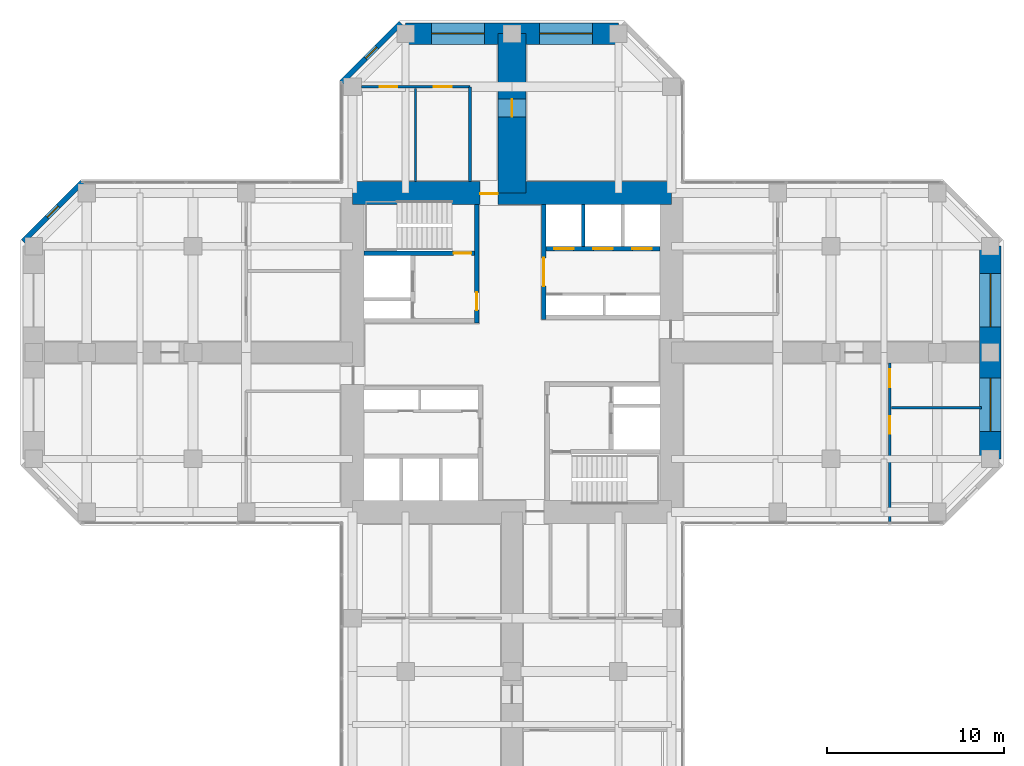
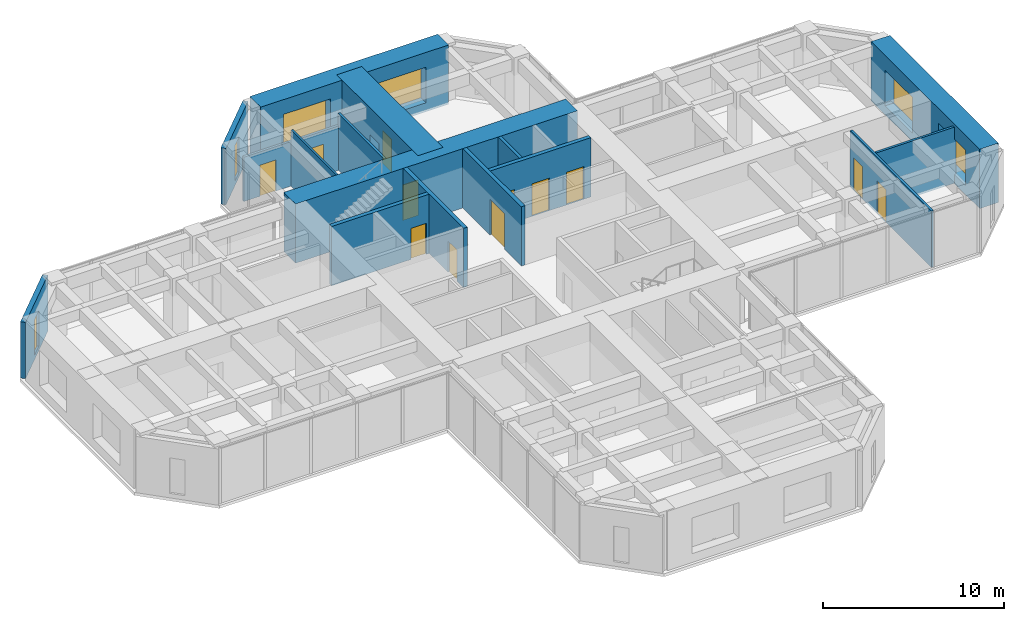
# One storey, part 10 of 12: 16 walls, 12 doors, 6 windows, 18 openings.
"""IFC4 building model written with IfcOpenShell, lengths in metres."""

from ifc_helpers import new_model, si_unit, direction, frame, frame_2d, origin, place, context, subcontext, project, spatial, rectangle, hollow_rectangle, extrude, material, layer, layer_set, constituent, constituent_set, type_object, element, fill, save


model = new_model("IFC4")

# Units and contexts
model_context = context("Model", 3, precision=1e-05, world=origin(), true_north=direction((0.0, 1.0)))
body_context = subcontext(model_context, "Body", "Model", "MODEL_VIEW")
ifc_project = project(units=[si_unit("LENGTHUNIT", "METRE"), si_unit("AREAUNIT", "SQUARE_METRE"), si_unit("VOLUMEUNIT", "CUBIC_METRE"), si_unit("PLANEANGLEUNIT", "RADIAN"), si_unit("MASSUNIT", "GRAM", prefix="KILO")], contexts=[model_context])

# Site, building, storey
site_placement = place(None, origin())
site = spatial("IfcSite", under=ifc_project, at=site_placement, CompositionType="ELEMENT")
building_placement = place(site_placement, origin())
building = spatial("IfcBuilding", under=site, at=building_placement, Name="Torre Cruceta", CompositionType="ELEMENT")
storey_placement = place(building_placement, frame((0.0, 0.0, 120.5)))
storey = spatial("IfcBuildingStorey", under=building, at=storey_placement, Name="L29", CompositionType="ELEMENT", Elevation=120.5)

# Wall, opening, door
ifc_material_1 = material(Name="Concrete G60 (fck 60 MPa)", Category="concrete")
ifc_layer_1 = layer(ifc_material_1, 0.25)
ifc_layer_set_1 = layer_set([ifc_layer_1], Name="Concrete G60 (fck 60 MPa)")
wall_type_1 = type_object("IfcWallType", Name="CORE INNER WALL 250 G60", PredefinedType="SHEAR", material=ifc_layer_set_1)
wall_1_placement = place(storey_placement, frame((1.800048828125, 1.875, 0.0), z_axis=(0.0, 0.0, 1.0), x_axis=(0.0, 1.0, 0.0)))
wall_1 = element("IfcWall", 1, at=wall_1_placement, inside=storey, type_object=wall_type_1, Name="CW4 L29 NE-CU", PredefinedType="SHEAR", context=body_context, shape_type="SweptSolid", body=[
    extrude(rectangle(XDim=6.47509765625, YDim=0.25, at=frame_2d((3.237548828125, 0.0))), origin(), (0.0, 0.0, 1.0), 4.0),
])
opening_1_placement = place(wall_1_placement, frame((1.875, 0.0, 0.0)))
opening_1 = element("IfcOpeningElement", 2, at=opening_1_placement, cuts=wall_1, Name="Opening D8", PredefinedType="OPENING", context=body_context, shape_type="SweptSolid", body=[
    extrude(rectangle(XDim=1.60009765625, YDim=2.39990234375, at=frame_2d((0.800048828125, 1.199951171875))), frame((0.0, 0.135009765625, 0.0), z_axis=(0.0, -1.0, 0.0), x_axis=(1.0, 0.0, 0.0)), (0.0, 0.0, 1.0), 0.27001953125),
])
ifc_material_2 = material(Name="Steel DX51D", Category="steel")
ifc_constituent_1 = constituent(ifc_material_2, Name="Leaf and frame")
ifc_material_3 = material(Name="Polyester powder coating", Category="paint")
ifc_constituent_2 = constituent(ifc_material_3, Name="Finish")
ifc_material_4 = material(Name="Fire-resisting glass", Category="glass")
ifc_constituent_3 = constituent(ifc_material_4, Name="Vision panel")
ifc_constituent_set_1 = constituent_set(constituents=[ifc_constituent_1, ifc_constituent_2, ifc_constituent_3], Name="Steel fire door with vision panels")
door_type_1 = type_object("IfcDoorType", Name="LIFT LOBBY DOUBLE DOOR 1600X2400", OperationType="DOUBLE_DOOR_DOUBLE_SWING", PredefinedType="DOOR", material=ifc_constituent_set_1)
door_1_placement = place(opening_1_placement, origin())
door_1 = element("IfcDoor", 3, at=door_1_placement, inside=storey, type_object=door_type_1, Name="D8 L29 NE-LOBBY", OperationType="DOUBLE_DOOR_DOUBLE_SWING", OverallHeight=2.39990234375, OverallWidth=1.60009765625, PredefinedType="DOOR", context=body_context, shape_type="SweptSolid", body=[
    extrude(rectangle(XDim=1.60009765625, YDim=2.39990234375, at=frame_2d((0.800048828125, 1.199951171875))), frame((0.0, 0.02490234375, 0.0), z_axis=(0.0, -1.0, 0.0), x_axis=(1.0, 0.0, 0.0)), (0.0, 0.0, 1.0), 0.050048828125),
])
fill(opening_1, door_1)

# Wall, openings, doors
wall_2_placement = place(storey_placement, frame((1.925048828125, 5.85009765625, 0.0), z_axis=(0.0, 0.0, 1.0), x_axis=(1.0, 0.0, 0.0)))
wall_2 = element("IfcWall", 4, at=wall_2_placement, inside=storey, type_object=wall_type_1, Name="CW4 L29 NE-LV", PredefinedType="SHEAR", context=body_context, shape_type="SweptSolid", body=[
    extrude(rectangle(XDim=6.425048828125, YDim=0.25, at=frame_2d((3.21240234375, 0.0))), origin(), (0.0, 0.0, 1.0), 4.0),
])
opening_2_placement = place(wall_2_placement, frame((0.4541015625, 0.0, 0.0)))
opening_2 = element("IfcOpeningElement", 5, at=opening_2_placement, cuts=wall_2, Name="Opening LD1", PredefinedType="OPENING", context=body_context, shape_type="SweptSolid", body=[
    extrude(rectangle(XDim=1.10009765625, YDim=2.199951171875, at=frame_2d((0.550048828125, 1.10009765625))), frame((0.0, 0.135009765625, 0.0), z_axis=(0.0, -1.0, 0.0), x_axis=(1.0, 0.0, 0.0)), (0.0, 0.0, 1.0), 0.27001953125),
])
opening_3_placement = place(wall_2_placement, frame((2.66259765625, 0.0, 0.0)))
opening_3 = element("IfcOpeningElement", 6, at=opening_3_placement, cuts=wall_2, Name="Opening LD1", PredefinedType="OPENING", context=body_context, shape_type="SweptSolid", body=[
    extrude(rectangle(XDim=1.10009765625, YDim=2.199951171875, at=frame_2d((0.550048828125, 1.10009765625))), frame((0.0, 0.135009765625, 0.0), z_axis=(0.0, -1.0, 0.0), x_axis=(1.0, 0.0, 0.0)), (0.0, 0.0, 1.0), 0.27001953125),
])
opening_4_placement = place(wall_2_placement, frame((4.870849609375, 0.0, 0.0)))
opening_4 = element("IfcOpeningElement", 7, at=opening_4_placement, cuts=wall_2, Name="Opening LD1", PredefinedType="OPENING", context=body_context, shape_type="SweptSolid", body=[
    extrude(rectangle(XDim=1.10009765625, YDim=2.199951171875, at=frame_2d((0.550048828125, 1.10009765625))), frame((0.0, 0.135009765625, 0.0), z_axis=(0.0, -1.0, 0.0), x_axis=(1.0, 0.0, 0.0)), (0.0, 0.0, 1.0), 0.27001953125),
])
ifc_material_5 = material(Name="Stainless steel 1.4401", Category="steel")
door_type_2 = type_object("IfcDoorType", Name="LIFT LANDING DOOR 1100X2200", OperationType="DOUBLE_DOOR_SLIDING", PredefinedType="DOOR", material=ifc_material_5)
door_2_placement = place(opening_2_placement, origin())
door_2 = element("IfcDoor", 8, at=door_2_placement, inside=storey, type_object=door_type_2, Name="Lift landing door P1", OperationType="DOUBLE_DOOR_SLIDING", OverallHeight=2.199951171875, OverallWidth=1.10009765625, PredefinedType="DOOR", context=body_context, shape_type="SweptSolid", body=[
    extrude(rectangle(XDim=1.10009765625, YDim=2.199951171875, at=frame_2d((0.550048828125, 1.10009765625))), frame((0.0, 0.02490234375, 0.0), z_axis=(0.0, -1.0, 0.0), x_axis=(1.0, 0.0, 0.0)), (0.0, 0.0, 1.0), 0.050048828125),
])
fill(opening_2, door_2)
door_3_placement = place(opening_3_placement, origin())
door_3 = element("IfcDoor", 9, at=door_3_placement, inside=storey, type_object=door_type_2, Name="Lift landing door P2", OperationType="DOUBLE_DOOR_SLIDING", OverallHeight=2.199951171875, OverallWidth=1.10009765625, PredefinedType="DOOR", context=body_context, shape_type="SweptSolid", body=[
    extrude(rectangle(XDim=1.10009765625, YDim=2.199951171875, at=frame_2d((0.550048828125, 1.10009765625))), frame((0.0, 0.02490234375, 0.0), z_axis=(0.0, -1.0, 0.0), x_axis=(1.0, 0.0, 0.0)), (0.0, 0.0, 1.0), 0.050048828125),
])
fill(opening_3, door_3)
door_4_placement = place(opening_4_placement, origin())
door_4 = element("IfcDoor", 10, at=door_4_placement, inside=storey, type_object=door_type_2, Name="Lift landing door P3", OperationType="DOUBLE_DOOR_SLIDING", OverallHeight=2.199951171875, OverallWidth=1.10009765625, PredefinedType="DOOR", context=body_context, shape_type="SweptSolid", body=[
    extrude(rectangle(XDim=1.10009765625, YDim=2.199951171875, at=frame_2d((0.550048828125, 1.10009765625))), frame((0.0, 0.02490234375, 0.0), z_axis=(0.0, -1.0, 0.0), x_axis=(1.0, 0.0, 0.0)), (0.0, 0.0, 1.0), 0.050048828125),
])
fill(opening_4, door_4)

# Wall, opening, door
wall_3_placement = place(storey_placement, frame((-2.0, 1.675048828125, 0.0), z_axis=(0.0, 0.0, 1.0), x_axis=(0.0, 1.0, 0.0)))
wall_3 = element("IfcWall", 11, at=wall_3_placement, inside=storey, type_object=wall_type_1, Name="CW4 L29 NW-CU", PredefinedType="SHEAR", context=body_context, shape_type="SweptSolid", body=[
    extrude(rectangle(XDim=6.675048828125, YDim=0.25, at=frame_2d((3.33740234375, 0.0))), origin(), (0.0, 0.0, 1.0), 4.0),
])
opening_5_placement = place(wall_3_placement, frame((0.72509765625, 0.0, 0.0)))
opening_5 = element("IfcOpeningElement", 12, at=opening_5_placement, cuts=wall_3, Name="Opening D3", PredefinedType="OPENING", context=body_context, shape_type="SweptSolid", body=[
    extrude(rectangle(XDim=1.0, YDim=2.10009765625, at=frame_2d((0.5, 1.050048828125))), frame((0.0, 0.135009765625, 0.0), z_axis=(0.0, -1.0, 0.0), x_axis=(1.0, 0.0, 0.0)), (0.0, 0.0, 1.0), 0.27001953125),
])
ifc_material_6 = material(Name="Steel DX51D", Category="steel")
ifc_constituent_4 = constituent(ifc_material_6, Name="Leaf and frame")
ifc_material_7 = material(Name="Polyester powder coating", Category="paint")
ifc_constituent_5 = constituent(ifc_material_7, Name="Finish")
ifc_constituent_set_2 = constituent_set(constituents=[ifc_constituent_4, ifc_constituent_5], Name="Steel fire door")
door_type_3 = type_object("IfcDoorType", Name="FIRE DOOR 1000X2100", OperationType="SINGLE_SWING_LEFT", PredefinedType="DOOR", material=ifc_constituent_set_2)
door_5_placement = place(opening_5_placement, origin())
door_5 = element("IfcDoor", 13, at=door_5_placement, inside=storey, type_object=door_type_3, Name="D3 L29 NW-LOBBY", OperationType="SINGLE_SWING_LEFT", OverallHeight=2.10009765625, OverallWidth=1.0, PredefinedType="DOOR", context=body_context, shape_type="SweptSolid", body=[
    extrude(rectangle(XDim=1.0, YDim=2.10009765625, at=frame_2d((0.5, 1.050048828125))), frame((0.0, 0.02490234375, 0.0), z_axis=(0.0, -1.0, 0.0), x_axis=(1.0, 0.0, 0.0)), (0.0, 0.0, 1.0), 0.050048828125),
])
fill(opening_5, door_5)

wall_4_placement = place(storey_placement, frame((-2.125, 5.60009765625, 0.0), z_axis=(0.0, 0.0, 1.0), x_axis=(-1.0, 0.0, 0.0)))
wall_4 = element("IfcWall", 14, at=wall_4_placement, inside=storey, type_object=wall_type_1, Name="CW4 L29 NW-SV", PredefinedType="SHEAR", context=body_context, shape_type="SweptSolid", body=[
    extrude(rectangle(XDim=6.22509765625, YDim=0.25, at=frame_2d((3.112548828125, 0.0))), origin(), (0.0, 0.0, 1.0), 4.0),
])
opening_6_placement = place(wall_4_placement, frame((0.175048828125, 0.0, 0.0)))
opening_6 = element("IfcOpeningElement", 15, at=opening_6_placement, cuts=wall_4, Name="Opening D3", PredefinedType="OPENING", context=body_context, shape_type="SweptSolid", body=[
    extrude(rectangle(XDim=1.0, YDim=2.10009765625, at=frame_2d((0.5, 1.050048828125))), frame((0.0, 0.135009765625, 0.0), z_axis=(0.0, -1.0, 0.0), x_axis=(1.0, 0.0, 0.0)), (0.0, 0.0, 1.0), 0.27001953125),
])
door_6_placement = place(opening_6_placement, frame((1.0, 0.0, 0.0), z_axis=(0.0, 0.0, 1.0), x_axis=(-1.0, 0.0, 0.0)))
door_6 = element("IfcDoor", 16, at=door_6_placement, inside=storey, type_object=door_type_3, Name="D3 L29 NW-STAIR", OperationType="SINGLE_SWING_RIGHT", OverallHeight=2.10009765625, OverallWidth=1.0, PredefinedType="DOOR", context=body_context, shape_type="SweptSolid", body=[
    extrude(rectangle(XDim=1.0, YDim=2.10009765625, at=frame_2d((0.5, 1.050048828125))), frame((0.0, 0.025146484375, 0.0), z_axis=(0.0, -1.0, 0.0), x_axis=(1.0, 0.0, 0.0)), (0.0, 0.0, 1.0), 0.050048828125),
])
fill(opening_6, door_6)

ifc_material_8 = material(Name="Concrete G60 (fck 60 MPa)", Category="concrete")
ifc_layer_2 = layer(ifc_material_8, 1.300048828125)
ifc_layer_set_2 = layer_set([ifc_layer_2], Name="Concrete G60 (fck 60 MPa)")
wall_type_2 = type_object("IfcWallType", Name="CORE WALL 1300 G60", PredefinedType="SHEAR", material=ifc_layer_set_2)
wall_5_placement = place(storey_placement, frame((9.0, 9.0, 0.0), z_axis=(0.0, 0.0, 1.0), x_axis=(-1.0, 0.0, 0.0)))
wall_5 = element("IfcWall", 17, at=wall_5_placement, inside=storey, type_object=wall_type_2, Name="CW1 L29 CW-N", PredefinedType="SHEAR", context=body_context, shape_type="SweptSolid", body=[
    extrude(rectangle(XDim=18.0, YDim=1.300048828125, at=frame_2d((9.0, 0.0))), origin(), (0.0, 0.0, 1.0), 4.0),
])
opening_7_placement = place(wall_5_placement, frame((9.800048828125, 0.0, 0.0)))
opening_7 = element("IfcOpeningElement", 18, at=opening_7_placement, cuts=wall_5, Name="Opening D4", PredefinedType="OPENING", context=body_context, shape_type="SweptSolid", body=[
    extrude(rectangle(XDim=1.0, YDim=2.39990234375, at=frame_2d((0.5, 1.199951171875))), frame((0.0, 0.659912109375, 0.0), z_axis=(0.0, -1.0, 0.0), x_axis=(1.0, 0.0, 0.0)), (0.0, 0.0, 1.0), 1.320068359375),
])
ifc_material_9 = material(Name="Steel DX51D", Category="steel")
ifc_constituent_6 = constituent(ifc_material_9, Name="Leaf and frame")
ifc_material_10 = material(Name="Polyester powder coating", Category="paint")
ifc_constituent_7 = constituent(ifc_material_10, Name="Finish")
ifc_constituent_set_3 = constituent_set(constituents=[ifc_constituent_6, ifc_constituent_7], Name="Steel fire door")
door_type_4 = type_object("IfcDoorType", Name="CORE ARM DOOR 1000X2400", OperationType="SINGLE_SWING_RIGHT", PredefinedType="DOOR", material=ifc_constituent_set_3)
door_7_placement = place(opening_7_placement, frame((1.0, 0.0, 0.0), z_axis=(0.0, 0.0, 1.0), x_axis=(-1.0, 0.0, 0.0)))
door_7 = element("IfcDoor", 19, at=door_7_placement, inside=storey, type_object=door_type_4, Name="D4 L29 CW-N", OperationType="SINGLE_SWING_RIGHT", OverallHeight=2.39990234375, OverallWidth=1.0, PredefinedType="DOOR", context=body_context, shape_type="SweptSolid", body=[
    extrude(rectangle(XDim=1.0, YDim=2.39990234375, at=frame_2d((0.5, 1.199951171875))), frame((0.0, -0.005126953125, 0.0), z_axis=(0.0, -1.0, 0.0), x_axis=(1.0, 0.0, 0.0)), (0.0, 0.0, 1.0), 0.050048828125),
])
fill(opening_7, door_7)

# Wall, opening, window
ifc_material_11 = material(Name="Concrete G30 (fck 30 MPa)", Category="concrete")
ifc_layer_3 = layer(ifc_material_11, 0.300048828125)
ifc_layer_set_3 = layer_set([ifc_layer_3], Name="Concrete G30 (fck 30 MPa)")
wall_type_3 = type_object("IfcWallType", Name="EXPOSED CONCRETE FACADE WALL 300", PredefinedType="SOLIDWALL", material=ifc_layer_set_3)
wall_6_placement = place(storey_placement, frame((-6.27685546875, 18.60009765625, 0.0), z_axis=(0.0, 0.0, 1.0), x_axis=(-0.707106781187, -0.707106781187, 0.0)))
wall_6 = element("IfcWall", 20, at=wall_6_placement, inside=storey, type_object=wall_type_3, Name="EW1 facade wall L29 N chamfer 08", PredefinedType="SOLIDWALL", context=body_context, shape_type="SweptSolid", body=[
    extrude(rectangle(XDim=4.72802734375, YDim=0.300048828125, at=frame_2d((2.364013671875, 0.0))), origin(), (0.0, 0.0, 1.0), 3.800048828125),
])
opening_8_placement = place(wall_6_placement, frame((1.9140625, 0.0, 0.300048828125)))
opening_8 = element("IfcOpeningElement", 21, at=opening_8_placement, cuts=wall_6, Name="Opening WN5", PredefinedType="OPENING", context=body_context, shape_type="SweptSolid", body=[
    extrude(rectangle(XDim=0.89990234375, YDim=2.39990234375, at=frame_2d((0.449951171875, 1.199951171875))), frame((0.0, 0.159912109375, 0.0), z_axis=(0.0, -1.0, 0.0), x_axis=(1.0, 0.0, 0.0)), (0.0, 0.0, 1.0), 0.320068359375),
])
ifc_material_12 = material(Name="Aluminium window frame", Category="aluminium")
ifc_constituent_8 = constituent(ifc_material_12, Name="Frame")
ifc_material_13 = material(Name="Laminated insulating glass unit, low-iron clear", Category="glass")
ifc_constituent_9 = constituent(ifc_material_13, Name="Glazing")
ifc_constituent_set_4 = constituent_set(constituents=[ifc_constituent_8, ifc_constituent_9], Name="Aluminium window")
window_type_1 = type_object("IfcWindowType", Name="CHAMFER SLOT WINDOW 900X2400", PartitioningType="SINGLE_PANEL", PredefinedType="WINDOW", material=ifc_constituent_set_4)
window_1_placement = place(opening_8_placement, origin())
window_1 = element("IfcWindow", 22, at=window_1_placement, inside=storey, type_object=window_type_1, Name="WN5 L29 N 1", OverallHeight=2.39990234375, OverallWidth=0.89990234375, PartitioningType="SINGLE_PANEL", PredefinedType="WINDOW", context=body_context, shape_type="SweptSolid", body=[
    extrude(hollow_rectangle(XDim=0.89990234375, YDim=2.39990234375, WallThickness=0.06005859375, at=frame_2d((0.449951171875, 1.199951171875))), frame((0.0, 0.030029296875, 0.0), z_axis=(0.0, -1.0, 0.0), x_axis=(1.0, 0.0, 0.0)), (0.0, 0.0, 1.0), 0.06005859375),
    extrude(rectangle(XDim=0.77880859375, YDim=2.27880859375, at=frame_2d((0.449951171875, 1.199951171875))), frame((0.0, 0.030029296875, 0.0), z_axis=(0.0, -1.0, 0.0), x_axis=(1.0, 0.0, 0.0)), (0.0, 0.0, 1.0), 0.06005859375),
])
fill(opening_8, window_1)

wall_7_placement = place(storey_placement, frame((-24.2568359375, 9.6201171875, 0.0), z_axis=(0.0, 0.0, 1.0), x_axis=(-0.707106781187, -0.707106781187, 0.0)))
wall_7 = element("IfcWall", 23, at=wall_7_placement, inside=storey, type_object=wall_type_3, Name="EW1 facade wall L29 W chamfer 11", PredefinedType="SOLIDWALL", context=body_context, shape_type="SweptSolid", body=[
    extrude(rectangle(XDim=4.72802734375, YDim=0.300048828125, at=frame_2d((2.364013671875, 0.0))), origin(), (0.0, 0.0, 1.0), 3.800048828125),
])
opening_9_placement = place(wall_7_placement, frame((1.9140625, 0.0, 0.300048828125)))
opening_9 = element("IfcOpeningElement", 24, at=opening_9_placement, cuts=wall_7, Name="Opening WN5", PredefinedType="OPENING", context=body_context, shape_type="SweptSolid", body=[
    extrude(rectangle(XDim=0.89990234375, YDim=2.39990234375, at=frame_2d((0.449951171875, 1.199951171875))), frame((0.0, 0.159912109375, 0.0), z_axis=(0.0, -1.0, 0.0), x_axis=(1.0, 0.0, 0.0)), (0.0, 0.0, 1.0), 0.320068359375),
])
window_2_placement = place(opening_9_placement, origin())
window_2 = element("IfcWindow", 25, at=window_2_placement, inside=storey, type_object=window_type_1, Name="WN5 L29 W 1", OverallHeight=2.39990234375, OverallWidth=0.89990234375, PartitioningType="SINGLE_PANEL", PredefinedType="WINDOW", context=body_context, shape_type="SweptSolid", body=[
    extrude(hollow_rectangle(XDim=0.89990234375, YDim=2.39990234375, WallThickness=0.06005859375, at=frame_2d((0.449951171875, 1.199951171875))), frame((0.0, 0.030029296875, 0.0), z_axis=(0.0, -1.0, 0.0), x_axis=(1.0, 0.0, 0.0)), (0.0, 0.0, 1.0), 0.06005859375),
    extrude(rectangle(XDim=0.77880859375, YDim=2.27880859375, at=frame_2d((0.449951171875, 1.199951171875))), frame((0.0, 0.030029296875, 0.0), z_axis=(0.0, -1.0, 0.0), x_axis=(1.0, 0.0, 0.0)), (0.0, 0.0, 1.0), 0.06005859375),
])
fill(opening_9, window_2)

# Wall
ifc_material_14 = material(Name="Concrete G35 (fck 35 MPa)", Category="concrete")
ifc_layer_4 = layer(ifc_material_14, 0.199951171875)
ifc_layer_set_4 = layer_set([ifc_layer_4], Name="Concrete G35 (fck 35 MPa)")
wall_type_4 = type_object("IfcWallType", Name="LIFT SHAFT WALL 200", PredefinedType="PARTITIONING", material=ifc_layer_set_4)
wall_8_placement = place(storey_placement, frame((4.033447265625, 5.97509765625, 0.0), z_axis=(0.0, 0.0, 1.0), x_axis=(0.0, 1.0, 0.0)))
element("IfcWall", 26, at=wall_8_placement, inside=storey, type_object=wall_type_4, Name="SW1 L29 NE-LS1", PredefinedType="PARTITIONING", context=body_context, shape_type="SweptSolid", body=[
    extrude(rectangle(XDim=2.375, YDim=0.199951171875, at=frame_2d((1.1875, 0.0))), origin(), (0.0, 0.0, 1.0), 4.0),
])

# Wall, openings, windows
ifc_material_15 = material(Name="Concrete G60 (fck 60 MPa)", Category="concrete")
ifc_layer_5 = layer(ifc_material_15, 1.199951171875)
ifc_layer_set_5 = layer_set([ifc_layer_5], Name="Concrete G60 (fck 60 MPa)")
wall_type_5 = type_object("IfcWallType", Name="NOSE WALL 1200 G60", PredefinedType="SHEAR", material=ifc_layer_set_5)
wall_9_placement = place(storey_placement, frame((6.0, 18.0, 0.0), z_axis=(0.0, 0.0, 1.0), x_axis=(-1.0, 0.0, 0.0)))
wall_9 = element("IfcWall", 27, at=wall_9_placement, inside=storey, type_object=wall_type_5, Name="NW1 nose wall L29 N", PredefinedType="SHEAR", context=body_context, shape_type="SweptSolid", body=[
    extrude(rectangle(XDim=12.0, YDim=1.199951171875, at=frame_2d((6.0, 0.0))), origin(), (0.0, 0.0, 1.0), 4.0),
])
opening_10_placement = place(wall_9_placement, frame((1.449951171875, 0.0, 0.60009765625)))
opening_10 = element("IfcOpeningElement", 28, at=opening_10_placement, cuts=wall_9, Name="Opening WN6", PredefinedType="OPENING", context=body_context, shape_type="SweptSolid", body=[
    extrude(rectangle(XDim=3.0, YDim=2.39990234375, at=frame_2d((1.5, 1.199951171875))), frame((0.0, 0.60986328125, 0.0), z_axis=(0.0, -1.0, 0.0), x_axis=(1.0, 0.0, 0.0)), (0.0, 0.0, 1.0), 1.219970703125),
])
opening_11_placement = place(wall_9_placement, frame((7.550048828125, 0.0, 0.60009765625)))
opening_11 = element("IfcOpeningElement", 29, at=opening_11_placement, cuts=wall_9, Name="Opening WN6", PredefinedType="OPENING", context=body_context, shape_type="SweptSolid", body=[
    extrude(rectangle(XDim=3.0, YDim=2.39990234375, at=frame_2d((1.5, 1.199951171875))), frame((0.0, 0.60986328125, 0.0), z_axis=(0.0, -1.0, 0.0), x_axis=(1.0, 0.0, 0.0)), (0.0, 0.0, 1.0), 1.219970703125),
])
ifc_material_16 = material(Name="Aluminium window frame", Category="aluminium")
ifc_constituent_10 = constituent(ifc_material_16, Name="Frame")
ifc_material_17 = material(Name="Laminated insulating glass unit, low-iron clear", Category="glass")
ifc_constituent_11 = constituent(ifc_material_17, Name="Glazing")
ifc_constituent_set_5 = constituent_set(constituents=[ifc_constituent_10, ifc_constituent_11], Name="Aluminium window")
window_type_2 = type_object("IfcWindowType", Name="NOSE WALL WINDOW 3000X2400", PartitioningType="SINGLE_PANEL", PredefinedType="WINDOW", material=ifc_constituent_set_5)
window_3_placement = place(opening_10_placement, origin())
window_3 = element("IfcWindow", 30, at=window_3_placement, inside=storey, type_object=window_type_2, Name="WN6 L29 N 1", OverallHeight=2.39990234375, OverallWidth=3.0, PartitioningType="SINGLE_PANEL", PredefinedType="WINDOW", context=body_context, shape_type="SweptSolid", body=[
    extrude(hollow_rectangle(XDim=3.0, YDim=2.39990234375, WallThickness=0.06005859375, at=frame_2d((1.5, 1.199951171875))), frame((0.0, 0.030029296875, 0.0), z_axis=(0.0, -1.0, 0.0), x_axis=(1.0, 0.0, 0.0)), (0.0, 0.0, 1.0), 0.06005859375),
    extrude(rectangle(XDim=2.87890625, YDim=2.27880859375, at=frame_2d((1.5, 1.199951171875))), frame((0.0, 0.030029296875, 0.0), z_axis=(0.0, -1.0, 0.0), x_axis=(1.0, 0.0, 0.0)), (0.0, 0.0, 1.0), 0.06005859375),
])
fill(opening_10, window_3)
window_4_placement = place(opening_11_placement, origin())
window_4 = element("IfcWindow", 31, at=window_4_placement, inside=storey, type_object=window_type_2, Name="WN6 L29 N 2", OverallHeight=2.39990234375, OverallWidth=3.0, PartitioningType="SINGLE_PANEL", PredefinedType="WINDOW", context=body_context, shape_type="SweptSolid", body=[
    extrude(hollow_rectangle(XDim=3.0, YDim=2.39990234375, WallThickness=0.06005859375, at=frame_2d((1.5, 1.199951171875))), frame((0.0, 0.030029296875, 0.0), z_axis=(0.0, -1.0, 0.0), x_axis=(1.0, 0.0, 0.0)), (0.0, 0.0, 1.0), 0.06005859375),
    extrude(rectangle(XDim=2.87890625, YDim=2.27880859375, at=frame_2d((1.5, 1.199951171875))), frame((0.0, 0.030029296875, 0.0), z_axis=(0.0, -1.0, 0.0), x_axis=(1.0, 0.0, 0.0)), (0.0, 0.0, 1.0), 0.06005859375),
])
fill(opening_11, window_4)

wall_10_placement = place(storey_placement, frame((27.0, -6.0, 0.0), z_axis=(0.0, 0.0, 1.0), x_axis=(0.0, 1.0, 0.0)))
wall_10 = element("IfcWall", 32, at=wall_10_placement, inside=storey, type_object=wall_type_5, Name="NW1 nose wall L29 E", PredefinedType="SHEAR", context=body_context, shape_type="SweptSolid", body=[
    extrude(rectangle(XDim=12.0, YDim=1.199951171875, at=frame_2d((6.0, 0.0))), origin(), (0.0, 0.0, 1.0), 4.0),
])
opening_12_placement = place(wall_10_placement, frame((1.550048828125, 0.0, 0.60009765625)))
opening_12 = element("IfcOpeningElement", 33, at=opening_12_placement, cuts=wall_10, Name="Opening WN6", PredefinedType="OPENING", context=body_context, shape_type="SweptSolid", body=[
    extrude(rectangle(XDim=3.0, YDim=2.39990234375, at=frame_2d((1.5, 1.199951171875))), frame((0.0, 0.60986328125, 0.0), z_axis=(0.0, -1.0, 0.0), x_axis=(1.0, 0.0, 0.0)), (0.0, 0.0, 1.0), 1.219970703125),
])
opening_13_placement = place(wall_10_placement, frame((7.449951171875, 0.0, 0.60009765625)))
opening_13 = element("IfcOpeningElement", 34, at=opening_13_placement, cuts=wall_10, Name="Opening WN6", PredefinedType="OPENING", context=body_context, shape_type="SweptSolid", body=[
    extrude(rectangle(XDim=3.0, YDim=2.39990234375, at=frame_2d((1.5, 1.199951171875))), frame((0.0, 0.60986328125, 0.0), z_axis=(0.0, -1.0, 0.0), x_axis=(1.0, 0.0, 0.0)), (0.0, 0.0, 1.0), 1.219970703125),
])
window_5_placement = place(opening_12_placement, origin())
window_5 = element("IfcWindow", 35, at=window_5_placement, inside=storey, type_object=window_type_2, Name="WN6 L29 E 1", OverallHeight=2.39990234375, OverallWidth=3.0, PartitioningType="SINGLE_PANEL", PredefinedType="WINDOW", context=body_context, shape_type="SweptSolid", body=[
    extrude(hollow_rectangle(XDim=3.0, YDim=2.39990234375, WallThickness=0.06005859375, at=frame_2d((1.5, 1.199951171875))), frame((0.0, 0.030029296875, 0.0), z_axis=(0.0, -1.0, 0.0), x_axis=(1.0, 0.0, 0.0)), (0.0, 0.0, 1.0), 0.06005859375),
    extrude(rectangle(XDim=2.87890625, YDim=2.27880859375, at=frame_2d((1.5, 1.199951171875))), frame((0.0, 0.030029296875, 0.0), z_axis=(0.0, -1.0, 0.0), x_axis=(1.0, 0.0, 0.0)), (0.0, 0.0, 1.0), 0.06005859375),
])
fill(opening_12, window_5)
window_6_placement = place(opening_13_placement, origin())
window_6 = element("IfcWindow", 36, at=window_6_placement, inside=storey, type_object=window_type_2, Name="WN6 L29 E 2", OverallHeight=2.39990234375, OverallWidth=3.0, PartitioningType="SINGLE_PANEL", PredefinedType="WINDOW", context=body_context, shape_type="SweptSolid", body=[
    extrude(hollow_rectangle(XDim=3.0, YDim=2.39990234375, WallThickness=0.06005859375, at=frame_2d((1.5, 1.199951171875))), frame((0.0, 0.030029296875, 0.0), z_axis=(0.0, -1.0, 0.0), x_axis=(1.0, 0.0, 0.0)), (0.0, 0.0, 1.0), 0.06005859375),
    extrude(rectangle(XDim=2.87890625, YDim=2.27880859375, at=frame_2d((1.5, 1.199951171875))), frame((0.0, 0.030029296875, 0.0), z_axis=(0.0, -1.0, 0.0), x_axis=(1.0, 0.0, 0.0)), (0.0, 0.0, 1.0), 0.06005859375),
])
fill(opening_13, window_6)

# Wall, openings, doors
ifc_material_18 = material(Name="Plasterboard on steel studs", Category="steel")
ifc_layer_6 = layer(ifc_material_18, 0.14990234375)
ifc_layer_set_6 = layer_set([ifc_layer_6], Name="Plasterboard on steel studs")
wall_type_6 = type_object("IfcWallType", Name="PARTITION 150", PredefinedType="PARTITIONING", material=ifc_layer_set_6)
wall_11_placement = place(storey_placement, frame((-2.375, 15.0, 0.0), z_axis=(0.0, 0.0, 1.0), x_axis=(-1.0, 0.0, 0.0)))
wall_11 = element("IfcWall", 37, at=wall_11_placement, inside=storey, type_object=wall_type_6, Name="PT1 L29-N-BFL", PredefinedType="PARTITIONING", context=body_context, shape_type="SweptSolid", body=[
    extrude(rectangle(XDim=6.125, YDim=0.14990234375, at=frame_2d((3.0625, 0.0))), origin(), (0.0, 0.0, 1.0), 3.0),
])
opening_14_placement = place(wall_11_placement, frame((1.03125, 0.0, 0.0)))
opening_14 = element("IfcOpeningElement", 38, at=opening_14_placement, cuts=wall_11, Name="Opening D3", PredefinedType="OPENING", context=body_context, shape_type="SweptSolid", body=[
    extrude(rectangle(XDim=1.0, YDim=2.10009765625, at=frame_2d((0.5, 1.050048828125))), frame((0.0, 0.0849609375, 0.0), z_axis=(0.0, -1.0, 0.0), x_axis=(1.0, 0.0, 0.0)), (0.0, 0.0, 1.0), 0.169921875),
])
opening_15_placement = place(wall_11_placement, frame((4.09375, 0.0, 0.0)))
opening_15 = element("IfcOpeningElement", 39, at=opening_15_placement, cuts=wall_11, Name="Opening D3", PredefinedType="OPENING", context=body_context, shape_type="SweptSolid", body=[
    extrude(rectangle(XDim=1.0, YDim=2.10009765625, at=frame_2d((0.5, 1.050048828125))), frame((0.0, 0.0849609375, 0.0), z_axis=(0.0, -1.0, 0.0), x_axis=(1.0, 0.0, 0.0)), (0.0, 0.0, 1.0), 0.169921875),
])
door_8_placement = place(opening_14_placement, origin())
door_8 = element("IfcDoor", 40, at=door_8_placement, inside=storey, type_object=door_type_3, Name="D3 L29-N-BFL-D1", OperationType="SINGLE_SWING_LEFT", OverallHeight=2.10009765625, OverallWidth=1.0, PredefinedType="DOOR", context=body_context, shape_type="SweptSolid", body=[
    extrude(rectangle(XDim=1.0, YDim=2.10009765625, at=frame_2d((0.5, 1.050048828125))), frame((0.0, 0.02490234375, 0.0), z_axis=(0.0, -1.0, 0.0), x_axis=(1.0, 0.0, 0.0)), (0.0, 0.0, 1.0), 0.050048828125),
])
fill(opening_14, door_8)
door_9_placement = place(opening_15_placement, origin())
door_9 = element("IfcDoor", 41, at=door_9_placement, inside=storey, type_object=door_type_3, Name="D3 L29-N-BFL-D2", OperationType="SINGLE_SWING_LEFT", OverallHeight=2.10009765625, OverallWidth=1.0, PredefinedType="DOOR", context=body_context, shape_type="SweptSolid", body=[
    extrude(rectangle(XDim=1.0, YDim=2.10009765625, at=frame_2d((0.5, 1.050048828125))), frame((0.0, 0.02490234375, 0.0), z_axis=(0.0, -1.0, 0.0), x_axis=(1.0, 0.0, 0.0)), (0.0, 0.0, 1.0), 0.050048828125),
])
fill(opening_15, door_9)

# Walls
wall_12_placement = place(storey_placement, frame((-2.375, 9.64990234375, 0.0), z_axis=(0.0, 0.0, 1.0), x_axis=(0.0, 1.0, 0.0)))
element("IfcWall", 42, at=wall_12_placement, inside=storey, type_object=wall_type_6, Name="PT1 L29-N-BSL", PredefinedType="PARTITIONING", context=body_context, shape_type="SweptSolid", body=[
    extrude(rectangle(XDim=5.35009765625, YDim=0.14990234375, at=frame_2d((2.675048828125, 0.0))), origin(), (0.0, 0.0, 1.0), 3.800048828125),
])
wall_13_placement = place(storey_placement, frame((21.419921875, -3.117919921875, 0.0), z_axis=(0.0, 0.0, 1.0), x_axis=(1.0, 0.0, 0.0)))
element("IfcWall", 43, at=wall_13_placement, inside=storey, type_object=wall_type_6, Name="PT1 L29-E-TDR", PredefinedType="PARTITIONING", context=body_context, shape_type="SweptSolid", body=[
    extrude(rectangle(XDim=5.080078125, YDim=0.14990234375, at=frame_2d((2.5400390625, 0.0))), origin(), (0.0, 0.0, 1.0), 3.800048828125),
])

# Wall, openings, doors
wall_14_placement = place(storey_placement, frame((21.320068359375, -9.580078125, 0.0), z_axis=(0.0, 0.0, 1.0), x_axis=(0.0, 1.0, 0.0)))
wall_14 = element("IfcWall", 44, at=wall_14_placement, inside=storey, type_object=wall_type_6, Name="PT1 L29-E-TWR", PredefinedType="PARTITIONING", context=body_context, shape_type="SweptSolid", body=[
    extrude(rectangle(XDim=8.97998046875, YDim=0.14990234375, at=frame_2d((4.489990234375, 0.0))), origin(), (0.0, 0.0, 1.0), 3.800048828125),
])
opening_16_placement = place(wall_14_placement, frame((4.987060546875, 0.0, 0.0)))
opening_16 = element("IfcOpeningElement", 45, at=opening_16_placement, cuts=wall_14, Name="Opening D14", PredefinedType="OPENING", context=body_context, shape_type="SweptSolid", body=[
    extrude(rectangle(XDim=1.0, YDim=2.199951171875, at=frame_2d((0.5, 1.10009765625))), frame((0.0, 0.0849609375, 0.0), z_axis=(0.0, -1.0, 0.0), x_axis=(1.0, 0.0, 0.0)), (0.0, 0.0, 1.0), 0.169921875),
])
opening_17_placement = place(wall_14_placement, frame((7.6298828125, 0.0, 0.0)))
opening_17 = element("IfcOpeningElement", 46, at=opening_17_placement, cuts=wall_14, Name="Opening D14", PredefinedType="OPENING", context=body_context, shape_type="SweptSolid", body=[
    extrude(rectangle(XDim=1.0, YDim=2.199951171875, at=frame_2d((0.5, 1.10009765625))), frame((0.0, 0.0849609375, 0.0), z_axis=(0.0, -1.0, 0.0), x_axis=(1.0, 0.0, 0.0)), (0.0, 0.0, 1.0), 0.169921875),
])
ifc_material_19 = material(Name="Steel DX51D", Category="steel")
ifc_constituent_12 = constituent(ifc_material_19, Name="Leaf and frame")
ifc_material_20 = material(Name="Polyester powder coating", Category="paint")
ifc_constituent_13 = constituent(ifc_material_20, Name="Finish")
ifc_material_21 = material(Name="Fire-resisting glass", Category="glass")
ifc_constituent_14 = constituent(ifc_material_21, Name="Vision panel")
ifc_constituent_set_6 = constituent_set(constituents=[ifc_constituent_12, ifc_constituent_13, ifc_constituent_14], Name="Steel fire door with vision panel")
door_type_5 = type_object("IfcDoorType", Name="FIRE DOOR VISION PANEL 1000X2200", OperationType="SINGLE_SWING_RIGHT", PredefinedType="DOOR", material=ifc_constituent_set_6)
door_10_placement = place(opening_16_placement, frame((1.0, 0.0, 0.0), z_axis=(0.0, 0.0, 1.0), x_axis=(-1.0, 0.0, 0.0)))
door_10 = element("IfcDoor", 47, at=door_10_placement, inside=storey, type_object=door_type_5, Name="D14 L29-E-TWR-D1", OperationType="SINGLE_SWING_LEFT", OverallHeight=2.199951171875, OverallWidth=1.0, PredefinedType="DOOR", context=body_context, shape_type="SweptSolid", body=[
    extrude(rectangle(XDim=1.0, YDim=2.199951171875, at=frame_2d((0.5, 1.10009765625))), frame((0.0, 0.025146484375, 0.0), z_axis=(0.0, -1.0, 0.0), x_axis=(1.0, 0.0, 0.0)), (0.0, 0.0, 1.0), 0.050048828125),
])
fill(opening_16, door_10)
door_11_placement = place(opening_17_placement, frame((1.0, 0.0, 0.0), z_axis=(0.0, 0.0, 1.0), x_axis=(-1.0, 0.0, 0.0)))
door_11 = element("IfcDoor", 48, at=door_11_placement, inside=storey, type_object=door_type_5, Name="D14 L29-E-TWR-D2", OperationType="SINGLE_SWING_LEFT", OverallHeight=2.199951171875, OverallWidth=1.0, PredefinedType="DOOR", context=body_context, shape_type="SweptSolid", body=[
    extrude(rectangle(XDim=1.0, YDim=2.199951171875, at=frame_2d((0.5, 1.10009765625))), frame((0.0, 0.025146484375, 0.0), z_axis=(0.0, -1.0, 0.0), x_axis=(1.0, 0.0, 0.0)), (0.0, 0.0, 1.0), 0.050048828125),
])
fill(opening_17, door_11)

# Wall, opening, door
ifc_material_22 = material(Name="Concrete G60 (fck 60 MPa)", Category="concrete")
ifc_layer_7 = layer(ifc_material_22, 1.60009765625)
ifc_layer_set_7 = layer_set([ifc_layer_7], Name="Concrete G60 (fck 60 MPa)")
wall_type_7 = type_object("IfcWallType", Name="SPINE WALL 1600 G60", PredefinedType="SHEAR", material=ifc_layer_set_7)
wall_15_placement = place(storey_placement, frame((0.0, 9.0, 0.0), z_axis=(0.0, 0.0, 1.0), x_axis=(0.0, 1.0, 0.0)))
wall_15 = element("IfcWall", 49, at=wall_15_placement, inside=storey, type_object=wall_type_7, Name="SW2 spine wall L29 N", PredefinedType="SHEAR", context=body_context, shape_type="SweptSolid", body=[
    extrude(rectangle(XDim=9.0, YDim=1.60009765625, at=frame_2d((4.5, 0.0))), origin(), (0.0, 0.0, 1.0), 4.0),
])
opening_18_placement = place(wall_15_placement, frame((4.300048828125, 0.0, 0.0)))
opening_18 = element("IfcOpeningElement", 50, at=opening_18_placement, cuts=wall_15, Name="Opening D14", PredefinedType="OPENING", context=body_context, shape_type="SweptSolid", body=[
    extrude(rectangle(XDim=1.0, YDim=2.199951171875, at=frame_2d((0.5, 1.10009765625))), frame((0.0, 0.81005859375, 0.0), z_axis=(0.0, -1.0, 0.0), x_axis=(1.0, 0.0, 0.0)), (0.0, 0.0, 1.0), 1.6201171875),
])
door_12_placement = place(opening_18_placement, origin())
door_12 = element("IfcDoor", 51, at=door_12_placement, inside=storey, type_object=door_type_5, Name="D14 L29-N-SP1", OperationType="SINGLE_SWING_RIGHT", OverallHeight=2.199951171875, OverallWidth=1.0, PredefinedType="DOOR", context=body_context, shape_type="SweptSolid", body=[
    extrude(rectangle(XDim=1.0, YDim=2.199951171875, at=frame_2d((0.5, 1.10009765625))), frame((0.0, 0.02490234375, 0.0), z_axis=(0.0, -1.0, 0.0), x_axis=(1.0, 0.0, 0.0)), (0.0, 0.0, 1.0), 0.050048828125),
])
fill(opening_18, door_12)

# Wall
ifc_material_23 = material(Name="Plasterboard on steel studs", Category="steel")
ifc_layer_8 = layer(ifc_material_23, 0.1201171875)
ifc_layer_set_8 = layer_set([ifc_layer_8], Name="Plasterboard on steel studs")
wall_type_8 = type_object("IfcWallType", Name="WC PARTITION 120", PredefinedType="PLUMBINGWALL", material=ifc_layer_set_8)
wall_16_placement = place(storey_placement, frame((-5.4375, 9.64990234375, 0.0), z_axis=(0.0, 0.0, 1.0), x_axis=(0.0, 1.0, 0.0)))
element("IfcWall", 52, at=wall_16_placement, inside=storey, type_object=wall_type_8, Name="PT5 L29-N-BDL1", PredefinedType="PLUMBINGWALL", context=body_context, shape_type="SweptSolid", body=[
    extrude(rectangle(XDim=5.25, YDim=0.1201171875, at=frame_2d((2.625, 0.0))), origin(), (0.0, 0.0, 1.0), 3.800048828125),
])

save(model, "model.ifc")
